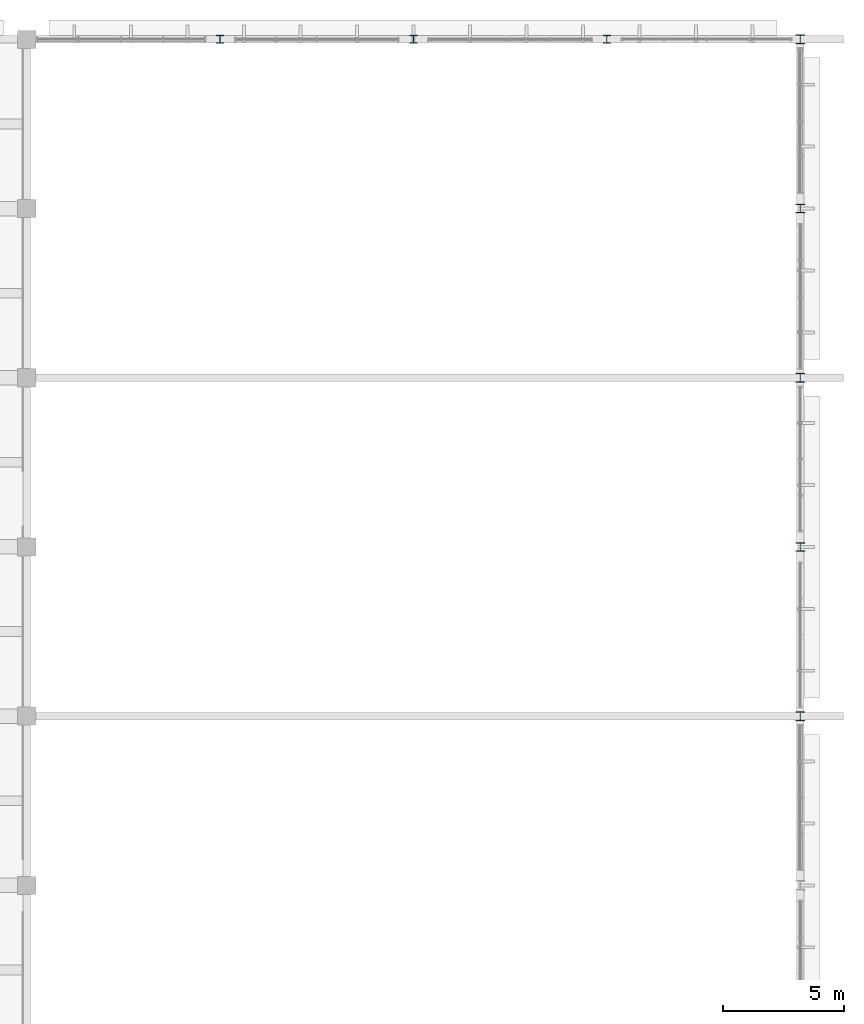
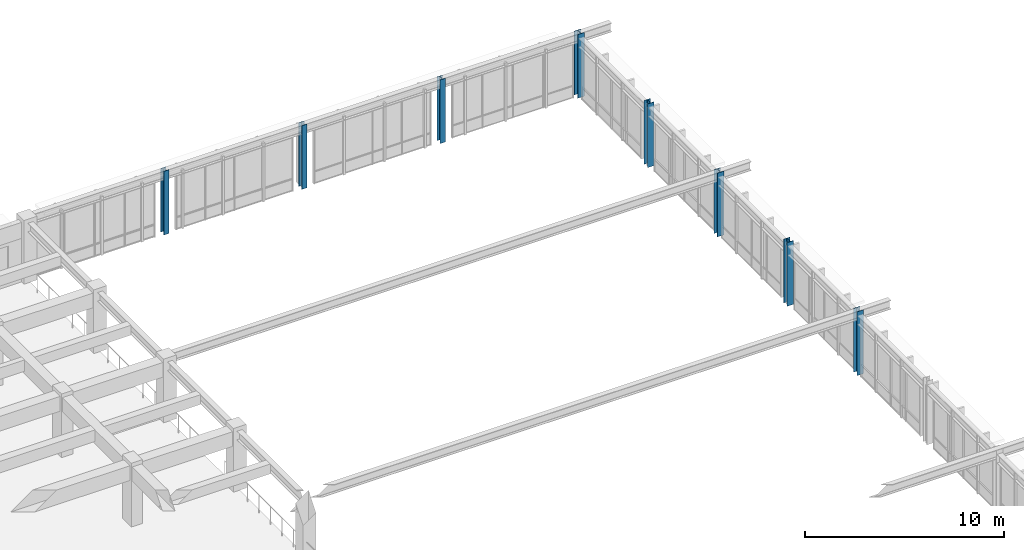
# One storey, part 9 of 98: 8 columns.
"""IFC4 building model written with IfcOpenShell, lengths in metres."""

from ifc_helpers import new_model, si_unit, direction, frame, origin, origin_2d, place, context, subcontext, project, spatial, i_section, extrude, material, material_profile, profile_set, type_object, element, save


model = new_model("IFC4")

# Units and contexts
model_context = context("Model", 3, precision=1e-05, world=origin(), true_north=direction((0.0, 1.0)))
body_context = subcontext(model_context, "Body", "Model", "MODEL_VIEW")
ifc_project = project(units=[si_unit("LENGTHUNIT", "METRE"), si_unit("AREAUNIT", "SQUARE_METRE"), si_unit("VOLUMEUNIT", "CUBIC_METRE"), si_unit("PLANEANGLEUNIT", "RADIAN"), si_unit("MASSUNIT", "GRAM", prefix="KILO")], contexts=[model_context])

# Site, building, storey
site_placement = place(None, origin())
site = spatial("IfcSite", under=ifc_project, at=site_placement, CompositionType="ELEMENT")
building_placement = place(site_placement, origin())
building = spatial("IfcBuilding", under=site, at=building_placement, Name="Larkveld Mobility Hub", CompositionType="ELEMENT")
storey_placement = place(building_placement, frame((0.0, 0.0, 4.5)))
storey = spatial("IfcBuildingStorey", under=building, at=storey_placement, Name="L01", CompositionType="ELEMENT", Elevation=4.5)

# Columns
ifc_material = material(Name="Steel S355JR", Category="steel")
ifc_material_profile_1 = material_profile(ifc_material, i_section(OverallWidth=0.30908203125, OverallDepth=0.320556640625, WebThickness=0.013916015625, FlangeThickness=0.021728515625, FilletRadius=0.01513671875, at=origin_2d()), Name="UC 305x305x137")
ifc_profile_set_1 = profile_set([ifc_material_profile_1], Name="Steel S355JR")
column_type_1 = type_object("IfcColumnType", Name="CL-STUC305", PredefinedType="COLUMN", material=ifc_profile_set_1)
for number, where, z_axis, x_axis, name in (
    (1, (160.0, 126.0, 0.0), (0.0, 0.0, 1.0), (1.0, 0.0, 0.0), "Column V1-GBL-X160-Y126 (L01)"),
    (2, (168.0, 126.0, 0.0), (0.0, 0.0, 1.0), (1.0, 0.0, 0.0), "Column V1-GBL-X168-Y126 (L01)"),
    (3, (176.0, 126.0, 0.0), (0.0, 0.0, 1.0), (1.0, 0.0, 0.0), "Column V1-GBL-X176-Y126 (L01)"),
):
    element("IfcColumn", number, at=place(storey_placement, frame(where, z_axis=z_axis, x_axis=x_axis)), inside=storey, type_object=column_type_1, Name=name, PredefinedType="COLUMN", context=body_context, shape_type="SweptSolid", body=[
        extrude(i_section(OverallWidth=0.30908203125, OverallDepth=0.320556640625, WebThickness=0.013916015625, FlangeThickness=0.021728515625, FilletRadius=0.01513671875, at=origin_2d()), origin(), (0.0, 0.0, 1.0), 3.89990234375),
    ])
ifc_material_profile_2 = material_profile(ifc_material, i_section(OverallWidth=0.37255859375, OverallDepth=0.3681640625, WebThickness=0.014404296875, FlangeThickness=0.023681640625, FilletRadius=0.01513671875, at=origin_2d()), Name="UC 356x368x177")
ifc_profile_set_2 = profile_set([ifc_material_profile_2], Name="Steel S355JR")
column_type_2 = type_object("IfcColumnType", Name="CL-STUC356", PredefinedType="COLUMN", material=ifc_profile_set_2)
for number, where, z_axis, x_axis, name in (
    (4, (184.0, 98.0, 0.0), (0.0, 0.0, 1.0), (1.0, 0.0, 0.0), "Column V1-X184-Y98 (L01)"),
    (5, (184.0, 105.0, 0.0), (0.0, 0.0, 1.0), (1.0, 0.0, 0.0), "Column V1-X184-Y105 (L01)"),
    (6, (184.0, 112.0, 0.0), (0.0, 0.0, 1.0), (1.0, 0.0, 0.0), "Column V1-X184-Y112 (L01)"),
    (7, (184.0, 119.0, 0.0), (0.0, 0.0, 1.0), (1.0, 0.0, 0.0), "Column V1-X184-Y119 (L01)"),
    (8, (184.0, 126.0, 0.0), (0.0, 0.0, 1.0), (1.0, 0.0, 0.0), "Column V1-X184-Y126 (L01)"),
):
    element("IfcColumn", number, at=place(storey_placement, frame(where, z_axis=z_axis, x_axis=x_axis)), inside=storey, type_object=column_type_2, Name=name, PredefinedType="COLUMN", context=body_context, shape_type="SweptSolid", body=[
        extrude(i_section(OverallWidth=0.37255859375, OverallDepth=0.3681640625, WebThickness=0.014404296875, FlangeThickness=0.023681640625, FilletRadius=0.01513671875, at=origin_2d()), origin(), (0.0, 0.0, 1.0), 3.89990234375),
    ])

save(model, "model.ifc")
